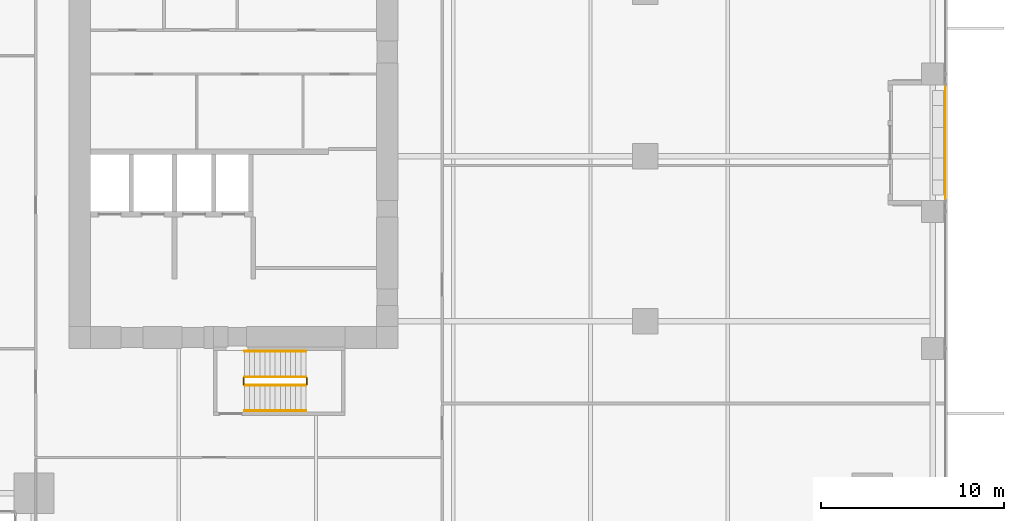
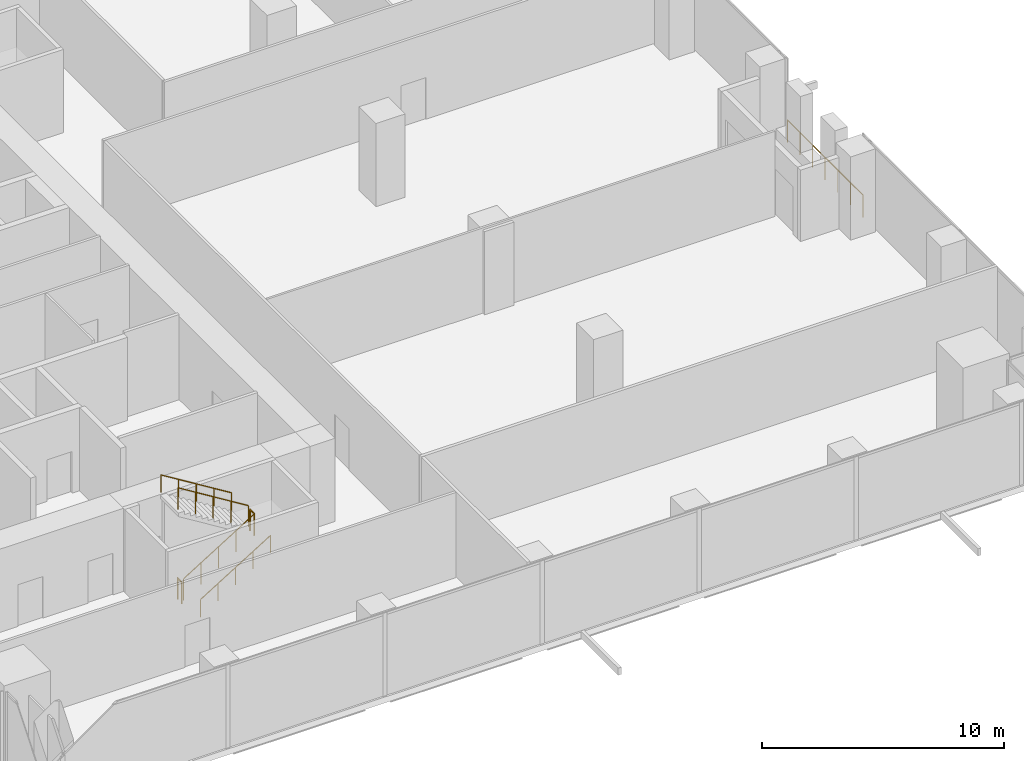
# One storey, part 31 of 33: 7 railings.
"""IFC4 building model written with IfcOpenShell, lengths in metres."""

import ifcopenshell
import ifcopenshell.guid

model = None  # the IFC model being written
_history = None  # IfcOwnerHistory: only IFC2X3 demands one
_inside = {}  # id of a spatial element -> (the spatial element, [elements in it])
_under = {}  # id of a project, library or spatial element -> (it, [spatial elements below it])
_declared = {}  # id of a project -> (the project, [libraries it declares])
_typed = {}  # id of a type object -> (the type object, [elements of that type])
_made_of = {}  # id of a material, layer set ... -> (it, [elements and type objects made of it])


def new_model(schema):
    """Start an empty IFC model of exactly this schema.

    Asked for "IFC4X3", IfcOpenShell would pick the latest addendum, in which some entities
    have other attributes; the version numbers below select the first issue.
    IFC2X3 requires an IfcOwnerHistory on every rooted entity: one is made here for all.
    """
    global model, _history
    if schema == "IFC4X3":
        model = ifcopenshell.file(schema_version=(4, 3, 0, 0))
    else:
        model = ifcopenshell.file(schema=schema)
    _inside.clear()
    _under.clear()
    _declared.clear()
    _typed.clear()
    _made_of.clear()
    _history = None
    if model.schema == "IFC2X3":
        org = make("IfcOrganization", Name="unknown")
        user = make(
            "IfcPersonAndOrganization",
            ThePerson=make("IfcPerson", FamilyName="unknown"),
            TheOrganization=org,
        )
        app = make(
            "IfcApplication",
            ApplicationDeveloper=org,
            Version="unknown",
            ApplicationFullName="unknown",
            ApplicationIdentifier="unknown",
        )
        _history = make(
            "IfcOwnerHistory",
            OwningUser=user,
            OwningApplication=app,
            ChangeAction="ADDED",
            CreationDate=0,
        )
    return model


def make(cls, **values):
    """One entity of the class cls with the attributes given. An attribute that is None is left unset."""
    return model.create_entity(
        cls, **{name: value for name, value in values.items() if value is not None}
    )


def rooted(cls, **values):
    """An entity with a GlobalId (a new one), such as an element, a storey or a relation."""
    return make(cls, GlobalId=ifcopenshell.guid.new(), OwnerHistory=_history, **values)


def si_unit(unit_type, name, prefix=None):
    """IfcSIUnit, for example si_unit("LENGTHUNIT", "METRE", prefix="MILLI")."""
    return make("IfcSIUnit", UnitType=unit_type, Prefix=prefix, Name=name)


def assignment(units):
    """IfcUnitAssignment: the units of a project."""
    return None if units is None else make("IfcUnitAssignment", Units=units)


def point(xyz):
    """IfcCartesianPoint."""
    return None if xyz is None else make("IfcCartesianPoint", Coordinates=xyz)


def direction(xyz):
    """IfcDirection."""
    return None if xyz is None else make("IfcDirection", DirectionRatios=xyz)


def frame(location, z_axis=None, x_axis=None):
    """IfcAxis2Placement3D, a coordinate frame: its origin and axes. An axis left out is left unset."""
    return make(
        "IfcAxis2Placement3D",
        Location=point(location),
        Axis=direction(z_axis),
        RefDirection=direction(x_axis),
    )


def frame_2d(location, x_axis=None):
    """IfcAxis2Placement2D, a coordinate frame in the plane: its origin and x axis."""
    return make(
        "IfcAxis2Placement2D", Location=point(location), RefDirection=direction(x_axis)
    )


def origin():
    """The frame at (0, 0, 0) with its axes left unset."""
    return frame((0.0, 0.0, 0.0))


def origin_2d():
    """The frame at (0, 0) in the plane with its x axis left unset."""
    return frame_2d((0.0, 0.0))


def place(relative_to, where):
    """IfcLocalPlacement: puts the frame where relative to a parent placement (None: the world)."""
    return make(
        "IfcLocalPlacement", PlacementRelTo=relative_to, RelativePlacement=where
    )


def context(
    kind, dimensions, precision=None, world=None, true_north=None, identifier=None
):
    """IfcGeometricRepresentationContext, for example the 3D "Model" context."""
    return make(
        "IfcGeometricRepresentationContext",
        ContextIdentifier=identifier,
        ContextType=kind,
        CoordinateSpaceDimension=dimensions,
        Precision=precision,
        WorldCoordinateSystem=world,
        TrueNorth=true_north,
    )


def subcontext(parent, identifier, kind, view, scale=None):
    """IfcGeometricRepresentationSubContext, for example "Body" below "Model"."""
    return make(
        "IfcGeometricRepresentationSubContext",
        ContextIdentifier=identifier,
        ContextType=kind,
        ParentContext=parent,
        TargetScale=scale,
        TargetView=view,
    )


def project(units=None, contexts=None):
    """IfcProject with its units and contexts."""
    return rooted(
        "IfcProject",
        Name="project",
        RepresentationContexts=contexts,
        UnitsInContext=assignment(units),
    )


def spatial(cls, under=None, at=None, **own):
    """A site, building, storey or space (cls), placed at a placement, below another one or the project."""
    s = rooted(cls, ObjectPlacement=at, **own)
    if under is not None:
        _under.setdefault(under.id(), (under, []))[1].append(s)
    return s


def profile(cls, at=None, kind="AREA", **sizes):
    """A parametric profile (cls). Its sizes go by their IFC names, for example OverallWidth=200.0."""
    return make(cls, ProfileType=kind, Position=at, **sizes)


def circle(**sizes):
    """IfcCircleProfileDef."""
    return profile("IfcCircleProfileDef", **sizes)


def extrude(swept, where, along, depth):
    """IfcExtrudedAreaSolid: the profile swept, set in the frame where, extruded along a direction by depth."""
    return make(
        "IfcExtrudedAreaSolid",
        SweptArea=swept,
        Position=where,
        ExtrudedDirection=direction(along),
        Depth=depth,
    )


def shape(context_of_items, identifier, shape_type, items):
    """IfcShapeRepresentation: the items that make up one representation, for example the "Body"."""
    return make(
        "IfcShapeRepresentation",
        ContextOfItems=context_of_items,
        RepresentationIdentifier=identifier,
        RepresentationType=shape_type,
        Items=items,
    )


def source(mapping_origin, context_of_items, identifier, shape_type, items):
    """IfcRepresentationMap: a shape defined once, which mapped items show again and again."""
    return make(
        "IfcRepresentationMap",
        MappingOrigin=mapping_origin,
        MappedRepresentation=shape(context_of_items, identifier, shape_type, items),
    )


def transform(
    local_origin,
    x_axis=None,
    y_axis=None,
    z_axis=None,
    scale=None,
    scale2=None,
    scale3=None,
    uniform=True,
):
    """IfcCartesianTransformationOperator3D, or its non-uniform kind. x_axis, y_axis, z_axis: its Axis1, 2, 3."""
    if uniform:
        return make(
            "IfcCartesianTransformationOperator3D",
            Axis1=direction(x_axis),
            Axis2=direction(y_axis),
            LocalOrigin=point(local_origin),
            Scale=scale,
            Axis3=direction(z_axis),
        )
    return make(
        "IfcCartesianTransformationOperator3DnonUniform",
        Axis1=direction(x_axis),
        Axis2=direction(y_axis),
        LocalOrigin=point(local_origin),
        Scale=scale,
        Axis3=direction(z_axis),
        Scale2=scale2,
        Scale3=scale3,
    )


def mapped(mapping_source, mapping_target):
    """IfcMappedItem: shows the shape of a source again, moved by a transform."""
    return make(
        "IfcMappedItem", MappingSource=mapping_source, MappingTarget=mapping_target
    )


def material(Name=None, Category=None):
    """IfcMaterial."""
    return make("IfcMaterial", Name=Name, Category=Category)


def made_of(thing, what):
    """Note that an element or type object is made of a material, layer set ...; save() writes the relation."""
    if what is not None:
        _made_of.setdefault(what.id(), (what, []))[1].append(thing)
    return thing


def type_object(cls, material=None, **own):
    """A type object (cls), such as IfcWallType, which elements share."""
    return made_of(rooted(cls, **own), material)


def element(
    cls,
    number,
    at=None,
    inside=None,
    cuts=None,
    type_object=None,
    material=None,
    context=None,
    identifier="Body",
    shape_type=None,
    held_by="IfcProductDefinitionShape",
    body=None,
    shapes=None,
    **own,
):
    """One element of the class cls, such as IfcWall. Its Tag is "e" and its number.

    at: its placement. inside: the storey or other place that contains it. cuts: it is an
    opening in that element (IfcRelVoidsElement). A single representation is given by context,
    identifier, shape_type and body (its items); several are given by shapes. held_by: the class
    of the entity that holds the representations. save() writes the other relations.
    """
    e = rooted(cls, Tag="e%d" % number, ObjectPlacement=at, **own)
    if body is not None:
        shapes = [shape(context, identifier, shape_type, body)]
    if shapes is not None:
        e.Representation = make(held_by, Representations=shapes)
    if inside is not None:
        _inside.setdefault(inside.id(), (inside, []))[1].append(e)
    if cuts is not None:
        rooted(
            "IfcRelVoidsElement", RelatingBuildingElement=cuts, RelatedOpeningElement=e
        )
    if type_object is not None:
        _typed.setdefault(type_object.id(), (type_object, []))[1].append(e)
    return made_of(e, material)


def aggregate(whole, parts):
    """IfcRelAggregates: a whole, such as a stair, and the parts it consists of."""
    return rooted("IfcRelAggregates", RelatingObject=whole, RelatedObjects=parts)


def save(model, path):
    """Write the relations noted so far, then the file.

    IfcRelAggregates (storeys below a building ...), IfcRelContainedInSpatialStructure (elements
    in a storey), IfcRelDefinesByType, IfcRelAssociatesMaterial and IfcRelDeclares: one each for
    every whole, place, type object, material and project.
    """
    for whole, parts in _under.values():
        aggregate(whole, parts)
    for where, things in _inside.values():
        rooted(
            "IfcRelContainedInSpatialStructure",
            RelatedElements=things,
            RelatingStructure=where,
        )
    for kind, things in _typed.values():
        rooted("IfcRelDefinesByType", RelatedObjects=things, RelatingType=kind)
    for what, things in _made_of.values():
        rooted("IfcRelAssociatesMaterial", RelatedObjects=things, RelatingMaterial=what)
    for by, libraries in _declared.values():
        rooted("IfcRelDeclares", RelatingContext=by, RelatedDefinitions=libraries)
    model.write(path)


model = new_model("IFC4")

# Units and contexts
model_context = context("Model", 3, precision=1e-05, world=origin(), true_north=direction((0.0, 1.0)))
body_context = subcontext(model_context, "Body", "Model", "MODEL_VIEW")
ifc_project = project(units=[si_unit("LENGTHUNIT", "METRE"), si_unit("AREAUNIT", "SQUARE_METRE"), si_unit("VOLUMEUNIT", "CUBIC_METRE"), si_unit("PLANEANGLEUNIT", "RADIAN"), si_unit("MASSUNIT", "GRAM", prefix="KILO")], contexts=[model_context])

# Site, building, storey
site_placement = place(None, origin())
site = spatial("IfcSite", under=ifc_project, at=site_placement, CompositionType="ELEMENT")
building_placement = place(site_placement, origin())
building = spatial("IfcBuilding", under=site, at=building_placement, Name="Khomas Fold Tower", CompositionType="ELEMENT")
storey_placement = place(building_placement, frame((0.0, 0.0, 82.5)))
storey = spatial("IfcBuildingStorey", under=building, at=storey_placement, Name="L17", CompositionType="ELEMENT", Elevation=82.5)

# Railings
ifc_material_1 = material(Name="Powder-coated steel", Category="steel")
railing_type_1 = type_object("IfcRailingType", Name="Balcony guard", PredefinedType="GUARDRAIL", material=ifc_material_1)
shared_shape_1 = source(origin(), body_context, "Body", "SweptSolid", [
    extrude(circle(Radius=0.02490234375, at=origin_2d()), frame((0.0, 0.0, 1.125), z_axis=(0.0, 1.0, 0.0), x_axis=(-1.0, 0.0, 0.0)), (0.0, 0.0, 1.0), 6.240234375),
    extrude(circle(Radius=0.02001953125, at=origin_2d()), origin(), (0.0, 0.0, 1.0), 1.099853515625),
    extrude(circle(Radius=0.02001953125, at=origin_2d()), frame((0.0, 1.0400390625, 0.0)), (0.0, 0.0, 1.0), 1.099853515625),
    extrude(circle(Radius=0.02001953125, at=origin_2d()), frame((0.0, 2.080078125, 0.0)), (0.0, 0.0, 1.0), 1.099853515625),
    extrude(circle(Radius=0.02001953125, at=origin_2d()), frame((0.0, 3.1201171875, 0.0)), (0.0, 0.0, 1.0), 1.099853515625),
    extrude(circle(Radius=0.02001953125, at=origin_2d()), frame((0.0, 4.16015625, 0.0)), (0.0, 0.0, 1.0), 1.099853515625),
    extrude(circle(Radius=0.02001953125, at=origin_2d()), frame((0.0, 5.2001953125, 0.0)), (0.0, 0.0, 1.0), 1.099853515625),
    extrude(circle(Radius=0.02001953125, at=origin_2d()), frame((0.0, 6.240234375, 0.0)), (0.0, 0.0, 1.0), 1.099853515625),
])
railing_1_placement = place(storey_placement, frame((53.89990234375, 20.1298828125, -0.044921875)))
element("IfcRailing", 1, at=railing_1_placement, inside=storey, type_object=railing_type_1, Name="Balcony guard BAL-L17-E2", PredefinedType="GUARDRAIL", context=body_context, shape_type="MappedRepresentation", body=[
    mapped(shared_shape_1, transform((0.0, 0.0, 0.0))),
])
ifc_material_2 = material(Name="Steel balustrade", Category="steel")
railing_type_2 = type_object("IfcRailingType", Name="Stair guard", PredefinedType="GUARDRAIL", material=ifc_material_2)
shared_shape_2 = source(origin(), body_context, "Body", "SweptSolid", [
    extrude(circle(Radius=0.02392578125, at=origin_2d()), frame((0.0, 0.0, 1.076171875), z_axis=(0.850606129759, 0.0, 0.525803396734), x_axis=(0.0, 1.0, 0.0)), (0.0, 0.0, 1.0), 3.949951171875),
    extrude(circle(Radius=0.02099609375, at=origin_2d()), origin(), (0.0, 0.0, 1.0), 1.052001953125),
    extrude(circle(Radius=0.02099609375, at=origin_2d()), frame((0.83984375, 0.0, 0.519287109375)), (0.0, 0.0, 1.0), 1.052001953125),
    extrude(circle(Radius=0.02099609375, at=origin_2d()), frame((1.679931640625, 0.0, 1.03857421875)), (0.0, 0.0, 1.0), 1.052001953125),
    extrude(circle(Radius=0.02099609375, at=origin_2d()), frame((2.52001953125, 0.0, 1.5576171875)), (0.0, 0.0, 1.0), 1.052001953125),
    extrude(circle(Radius=0.02099609375, at=origin_2d()), frame((3.35986328125, 0.0, 2.076904296875)), (0.0, 0.0, 1.0), 1.052001953125),
])
railing_2_placement = place(storey_placement, frame((15.60009765625, 10.0, 0.173095703125)))
element("IfcRailing", 2, at=railing_2_placement, inside=storey, type_object=railing_type_2, Name="L17 ST2 stair guard 1", PredefinedType="GUARDRAIL", context=body_context, shape_type="MappedRepresentation", body=[
    mapped(shared_shape_2, transform((0.0, 0.0, 0.0))),
])
shared_shape_3 = source(origin(), body_context, "Body", "SweptSolid", [
    extrude(circle(Radius=0.02392578125, at=origin_2d()), frame((0.0, 0.0, 1.076171875), z_axis=(0.0, 1.0, 0.0), x_axis=(-1.0, 0.0, 0.0)), (0.0, 0.0, 1.0), 0.349853515625),
    extrude(circle(Radius=0.02099609375, at=origin_2d()), origin(), (0.0, 0.0, 1.0), 1.052001953125),
    extrude(circle(Radius=0.02099609375, at=origin_2d()), frame((0.0, 0.349853515625, 0.0)), (0.0, 0.0, 1.0), 1.052001953125),
])
for number, where, name in (
    (3, (19.010009765625, 10.050048828125, 2.25), "L17 ST2 stair guard 2"),
    (4, (15.550048828125, 10.050048828125, 0.0), "L17 ST2 stair guard 4"),
):
    element("IfcRailing", number, at=place(storey_placement, frame(where)), inside=storey, type_object=railing_type_2, Name=name, PredefinedType="GUARDRAIL", context=body_context, shape_type="MappedRepresentation", body=[
        mapped(shared_shape_3, transform((0.0, 0.0, 0.0))),
    ])
shared_shape_4 = source(origin(), body_context, "Body", "SweptSolid", [
    extrude(circle(Radius=0.02392578125, at=origin_2d()), frame((0.0, 0.0, 1.076171875), z_axis=(-0.850606129759, 0.0, 0.525803396734), x_axis=(0.0, -1.0, 0.0)), (0.0, 0.0, 1.0), 3.949951171875),
    extrude(circle(Radius=0.02099609375, at=origin_2d()), origin(), (0.0, 0.0, 1.0), 1.052001953125),
    extrude(circle(Radius=0.02099609375, at=origin_2d()), frame((-0.83984375, 0.0, 0.519287109375)), (0.0, 0.0, 1.0), 1.052001953125),
    extrude(circle(Radius=0.02099609375, at=origin_2d()), frame((-1.679931640625, 0.0, 1.03857421875)), (0.0, 0.0, 1.0), 1.052001953125),
    extrude(circle(Radius=0.02099609375, at=origin_2d()), frame((-2.52001953125, 0.0, 1.5576171875)), (0.0, 0.0, 1.0), 1.052001953125),
    extrude(circle(Radius=0.02099609375, at=origin_2d()), frame((-3.35986328125, 0.0, 2.076904296875)), (0.0, 0.0, 1.0), 1.052001953125),
])
railing_3_placement = place(storey_placement, frame((18.9599609375, 10.449951171875, 2.423095703125)))
element("IfcRailing", 5, at=railing_3_placement, inside=storey, type_object=railing_type_2, Name="L17 ST2 stair guard 3", PredefinedType="GUARDRAIL", context=body_context, shape_type="MappedRepresentation", body=[
    mapped(shared_shape_4, transform((0.0, 0.0, 0.0))),
])
ifc_material_3 = material(Name="Steel handrail", Category="steel")
railing_type_3 = type_object("IfcRailingType", Name="Stair handrail", PredefinedType="HANDRAIL", material=ifc_material_3)
shared_shape_5 = source(origin(), body_context, "Body", "SweptSolid", [
    extrude(circle(Radius=0.02392578125, at=origin_2d()), frame((0.0, 0.0, 0.8759765625), z_axis=(0.850606129759, 0.0, 0.525803396734), x_axis=(0.0, 1.0, 0.0)), (0.0, 0.0, 1.0), 3.949951171875),
    extrude(circle(Radius=0.02099609375, at=origin_2d()), origin(), (0.0, 0.0, 1.0), 0.851806640625),
    extrude(circle(Radius=0.02099609375, at=origin_2d()), frame((0.83984375, 0.0, 0.519287109375)), (0.0, 0.0, 1.0), 0.851806640625),
    extrude(circle(Radius=0.02099609375, at=origin_2d()), frame((1.679931640625, 0.0, 1.03857421875)), (0.0, 0.0, 1.0), 0.851806640625),
    extrude(circle(Radius=0.02099609375, at=origin_2d()), frame((2.52001953125, 0.0, 1.5576171875)), (0.0, 0.0, 1.0), 0.851806640625),
    extrude(circle(Radius=0.02099609375, at=origin_2d()), frame((3.35986328125, 0.0, 2.076904296875)), (0.0, 0.0, 1.0), 0.851806640625),
])
railing_4_placement = place(storey_placement, frame((15.60009765625, 8.60009765625, 0.173095703125)))
element("IfcRailing", 6, at=railing_4_placement, inside=storey, type_object=railing_type_3, Name="L17 ST2 stair handrail 1", PredefinedType="HANDRAIL", context=body_context, shape_type="MappedRepresentation", body=[
    mapped(shared_shape_5, transform((0.0, 0.0, 0.0))),
])
shared_shape_6 = source(origin(), body_context, "Body", "SweptSolid", [
    extrude(circle(Radius=0.02392578125, at=origin_2d()), frame((0.0, 0.0, 0.8759765625), z_axis=(-0.850606129759, 0.0, 0.525803396734), x_axis=(0.0, -1.0, 0.0)), (0.0, 0.0, 1.0), 3.949951171875),
    extrude(circle(Radius=0.02099609375, at=origin_2d()), origin(), (0.0, 0.0, 1.0), 0.851806640625),
    extrude(circle(Radius=0.02099609375, at=origin_2d()), frame((-0.83984375, 0.0, 0.519287109375)), (0.0, 0.0, 1.0), 0.851806640625),
    extrude(circle(Radius=0.02099609375, at=origin_2d()), frame((-1.679931640625, 0.0, 1.03857421875)), (0.0, 0.0, 1.0), 0.851806640625),
    extrude(circle(Radius=0.02099609375, at=origin_2d()), frame((-2.52001953125, 0.0, 1.5576171875)), (0.0, 0.0, 1.0), 0.851806640625),
    extrude(circle(Radius=0.02099609375, at=origin_2d()), frame((-3.35986328125, 0.0, 2.076904296875)), (0.0, 0.0, 1.0), 0.851806640625),
])
railing_5_placement = place(storey_placement, frame((18.9599609375, 11.85009765625, 2.423095703125)))
element("IfcRailing", 7, at=railing_5_placement, inside=storey, type_object=railing_type_3, Name="L17 ST2 stair handrail 2", PredefinedType="HANDRAIL", context=body_context, shape_type="MappedRepresentation", body=[
    mapped(shared_shape_6, transform((0.0, 0.0, 0.0))),
])

save(model, "model.ifc")
